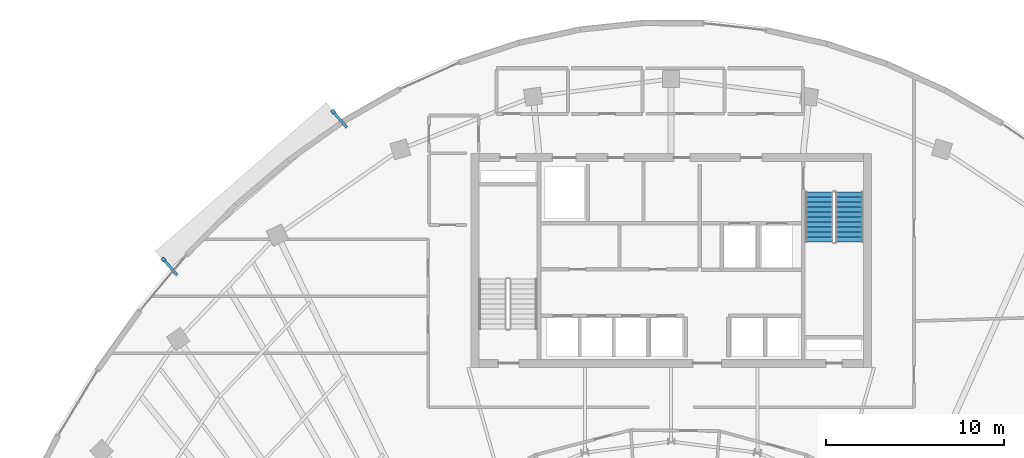
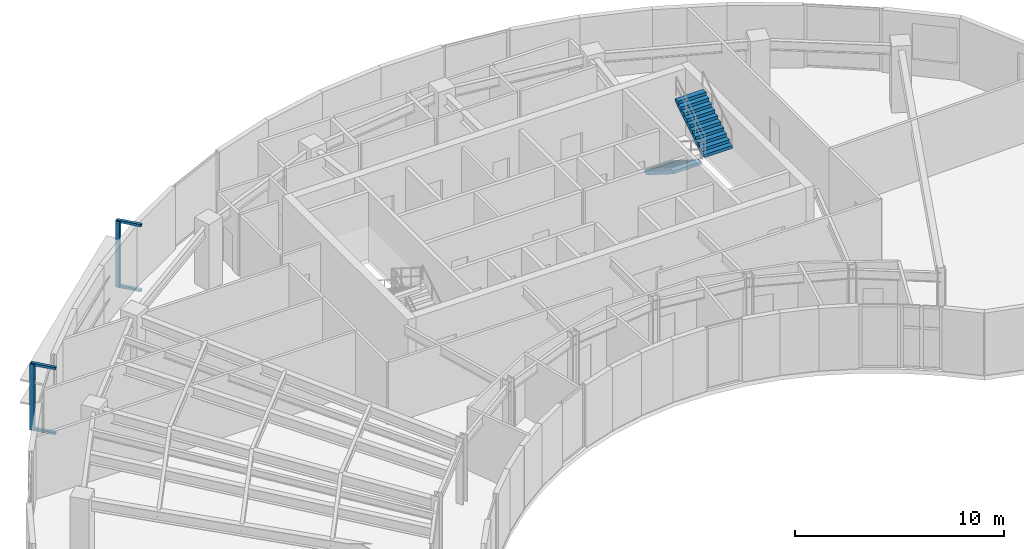
# One storey, part 11 of 12: 6 discrete accessories, 2 stair flights, 1 element without a shape of its own.
"""IFC4 building model written with IfcOpenShell, lengths in metres."""

from ifc_helpers import new_model, si_unit, direction, frame, origin, origin_2d, place, context, subcontext, project, spatial, polyline, rectangle, outline, extrude, source, transform, mapped, material, type_object, type_shapes, element, aggregate, save


model = new_model("IFC4")

# Units and contexts
model_context = context("Model", 3, precision=1e-05, world=origin(), true_north=direction((0.0, 1.0)))
body_context = subcontext(model_context, "Body", "Model", "MODEL_VIEW")
ifc_project = project(units=[si_unit("LENGTHUNIT", "METRE"), si_unit("AREAUNIT", "SQUARE_METRE"), si_unit("VOLUMEUNIT", "CUBIC_METRE"), si_unit("PLANEANGLEUNIT", "RADIAN"), si_unit("MASSUNIT", "GRAM", prefix="KILO")], contexts=[model_context])

# Site, building, storey
site_placement = place(None, origin())
site = spatial("IfcSite", under=ifc_project, at=site_placement, CompositionType="ELEMENT")
building_placement = place(site_placement, origin())
building = spatial("IfcBuilding", under=site, at=building_placement, Name="Breltana Convention Tower", CompositionType="ELEMENT")
storey_placement = place(building_placement, frame((0.0, 0.0, 235.199951171875)))
storey = spatial("IfcBuildingStorey", under=building, at=storey_placement, Name="L57", CompositionType="ELEMENT", Elevation=235.199951171875)

# Stair, stair flights
ifc_material_1 = material(Name="Concrete C40/50", Category="concrete")
stair_type = type_object("IfcStairType", Name="ST-DOG-1560-R177", PredefinedType="HALF_TURN_STAIR", material=ifc_material_1)
stair_placement = place(storey_placement, origin())
stair = element("IfcStair", 1, at=stair_placement, inside=storey, type_object=stair_type, Name="L57 Protected Core Exit Stair ST-2", PredefinedType="HALF_TURN_STAIR")
stair_flight_type = type_object("IfcStairFlightType", Name="STF-DOG-1560-N11-R177", PredefinedType="STRAIGHT", material=ifc_material_1)
stair_flight_1_placement = place(storey_placement, frame((56.31005859375, 70.0400390625, 0.0), z_axis=(0.0, 0.0, 1.0), x_axis=(0.0, -1.0, 0.0)))
stair_flight_1 = element("IfcStairFlight", 2, at=stair_flight_1_placement, type_object=stair_flight_type, Name="ST-2 flight 1", NumberOfRisers=11, NumberOfTreads=10, PredefinedType="STRAIGHT", RiserHeight=0.177272727, TreadLength=0.28, context=body_context, shape_type="SweptSolid", body=[
    extrude(outline(polyline([(0.0, 0.0), (0.0, 0.17724609375), (0.280029296875, 0.17724609375), (0.280029296875, 0.3544921875), (0.56005859375, 0.3544921875), (0.56005859375, 0.53173828125), (0.840087890625, 0.53173828125), (0.840087890625, 0.708984375), (1.1201171875, 0.708984375), (1.1201171875, 0.886474609375), (1.39990234375, 0.886474609375), (1.39990234375, 1.063720703125), (1.679931640625, 1.063720703125), (1.679931640625, 1.240966796875), (1.9599609375, 1.240966796875), (1.9599609375, 1.418212890625), (2.239990234375, 1.418212890625), (2.239990234375, 1.595458984375), (2.52001953125, 1.595458984375), (2.52001953125, 1.772705078125), (2.800048828125, 1.772705078125), (2.800048828125, 1.949951171875), (2.800048828125, 1.59521484375), (0.2802734375, 0.0), (0.0, 0.0)])), frame((0.0, 0.780029296875, 0.0), z_axis=(0.0, -1.0, 0.0), x_axis=(1.0, 0.0, 0.0)), (0.0, 0.0, 1.0), 1.56005859375),
])
stair_flight_2_placement = place(storey_placement, frame((58.02001953125, 67.239990234375, 1.949951171875), z_axis=(0.0, 0.0, 1.0), x_axis=(0.0, 1.0, 0.0)))
stair_flight_2 = element("IfcStairFlight", 3, at=stair_flight_2_placement, type_object=stair_flight_type, Name="ST-2 flight 2", NumberOfRisers=11, NumberOfTreads=10, PredefinedType="STRAIGHT", RiserHeight=0.177272727, TreadLength=0.28, context=body_context, shape_type="SweptSolid", body=[
    extrude(outline(polyline([(0.0, 0.0), (0.0, 0.17724609375), (0.280029296875, 0.17724609375), (0.280029296875, 0.3544921875), (0.56005859375, 0.3544921875), (0.56005859375, 0.53173828125), (0.840087890625, 0.53173828125), (0.840087890625, 0.708984375), (1.1201171875, 0.708984375), (1.1201171875, 0.886474609375), (1.39990234375, 0.886474609375), (1.39990234375, 1.063720703125), (1.679931640625, 1.063720703125), (1.679931640625, 1.240966796875), (1.9599609375, 1.240966796875), (1.9599609375, 1.418212890625), (2.239990234375, 1.418212890625), (2.239990234375, 1.595458984375), (2.52001953125, 1.595458984375), (2.52001953125, 1.772705078125), (2.800048828125, 1.772705078125), (2.800048828125, 1.949951171875), (2.800048828125, 1.59521484375), (0.2802734375, 0.0), (0.0, 0.0)])), frame((0.0, 0.780029296875, 0.0), z_axis=(0.0, -1.0, 0.0), x_axis=(1.0, 0.0, 0.0)), (0.0, 0.0, 1.0), 1.56005859375),
])
aggregate(stair, [stair_flight_1, stair_flight_2])

# Discrete accessories
ifc_material_2 = material(Name="Steel S355", Category="steel")
discrete_accessory_type_1 = type_object("IfcDiscreteAccessoryType", Name="ACC-DSF-BRACKET-150", PredefinedType="BRACKET", material=ifc_material_2)
shared_shape_1 = source(origin(), body_context, "Body", "SweptSolid", [
    extrude(rectangle(XDim=1.239990234375, YDim=0.14990234375, at=origin_2d()), origin(), (0.0, 0.0, 1.0), 0.139892578125),
])
type_shapes(discrete_accessory_type_1, [shared_shape_1])
for number, where, z_axis, x_axis, name in (
    (4, (19.84619140625, 65.84716796875, -0.15966796875), (0.0, 0.0, 1.0), (-0.656450428512, 0.754369163544, 0.0), "L57 double-skin slab stand-off bracket 1.1B"),
    (5, (19.84619140625, 65.84716796875, 3.64990234375), (0.0, 0.0, 1.0), (-0.656450428512, 0.754369163544, 0.0), "L57 double-skin slab stand-off bracket 1.1T"),
    (6, (29.37841796875, 74.14208984375, -0.15966796875), (0.0, 0.0, 1.0), (-0.656450428512, 0.754369163544, 0.0), "L57 double-skin slab stand-off bracket 1.2B"),
    (7, (29.37841796875, 74.14208984375, 3.64990234375), (0.0, 0.0, 1.0), (-0.656450428512, 0.754369163544, 0.0), "L57 double-skin slab stand-off bracket 1.2T"),
):
    element("IfcDiscreteAccessory", number, at=place(storey_placement, frame(where, z_axis=z_axis, x_axis=x_axis)), inside=storey, type_object=discrete_accessory_type_1, Name=name, PredefinedType="BRACKET", context=body_context, shape_type="MappedRepresentation", body=[
        mapped(shared_shape_1, transform((0.0, 0.0, 0.0), scale=1.0)),
    ])
discrete_accessory_type_2 = type_object("IfcDiscreteAccessoryType", Name="ACC-DSF-CARRIER-150", PredefinedType="BRACKET", material=ifc_material_2)
shared_shape_2 = source(origin(), body_context, "Body", "SweptSolid", [
    extrude(rectangle(XDim=0.219970703125, YDim=0.219970703125, at=origin_2d()), origin(), (0.0, 0.0, 1.0), 3.8701171875),
])
for number, where, z_axis, x_axis, name in (
    (8, (19.478515625, 66.26953125, -0.1201171875), (0.0, 0.0, 1.0), (-0.656450428512, 0.754369163544, 0.0), "L57 double-skin outer vertical carrier 1.1"),
    (9, (29.0107421875, 74.564453125, -0.1201171875), (0.0, 0.0, 1.0), (-0.656450428512, 0.754369163544, 0.0), "L57 double-skin outer vertical carrier 1.2"),
):
    element("IfcDiscreteAccessory", number, at=place(storey_placement, frame(where, z_axis=z_axis, x_axis=x_axis)), inside=storey, type_object=discrete_accessory_type_2, Name=name, PredefinedType="BRACKET", context=body_context, shape_type="MappedRepresentation", body=[
        mapped(shared_shape_2, transform((0.0, 0.0, 0.0), scale=1.0)),
    ])

save(model, "model.ifc")
